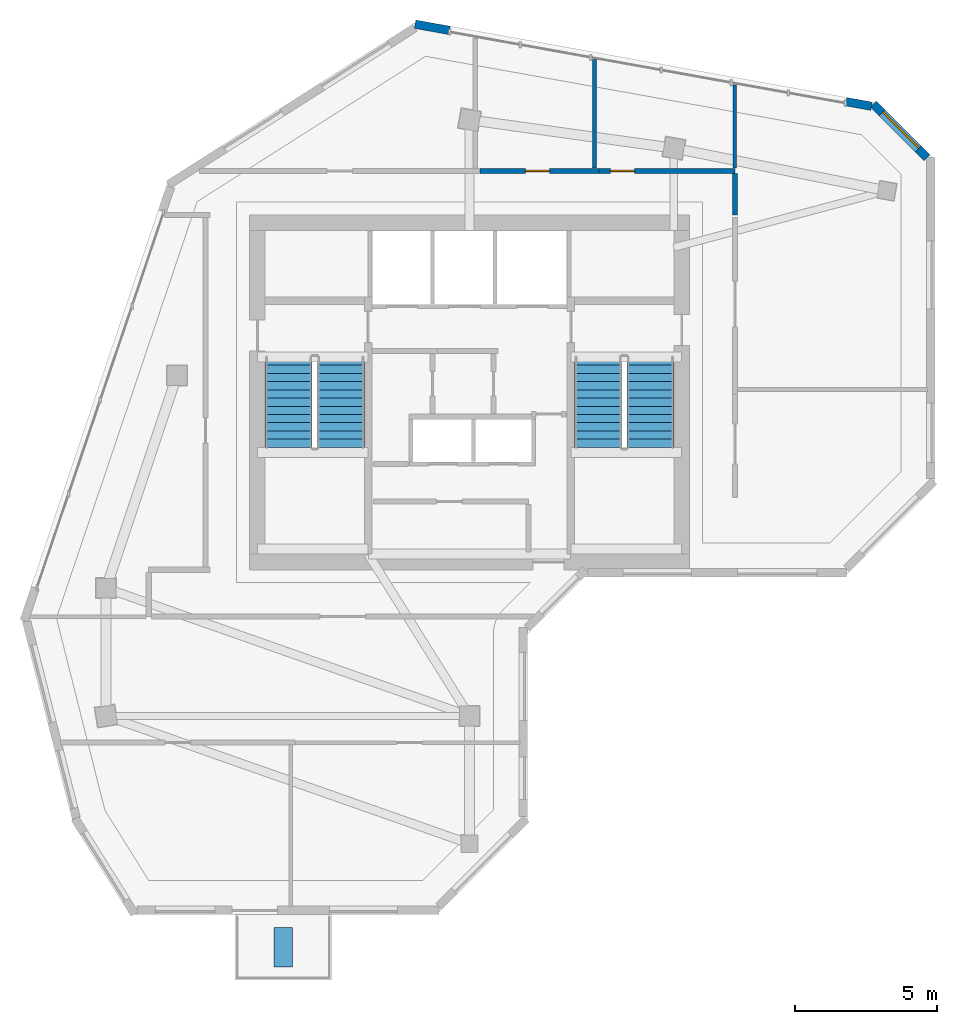
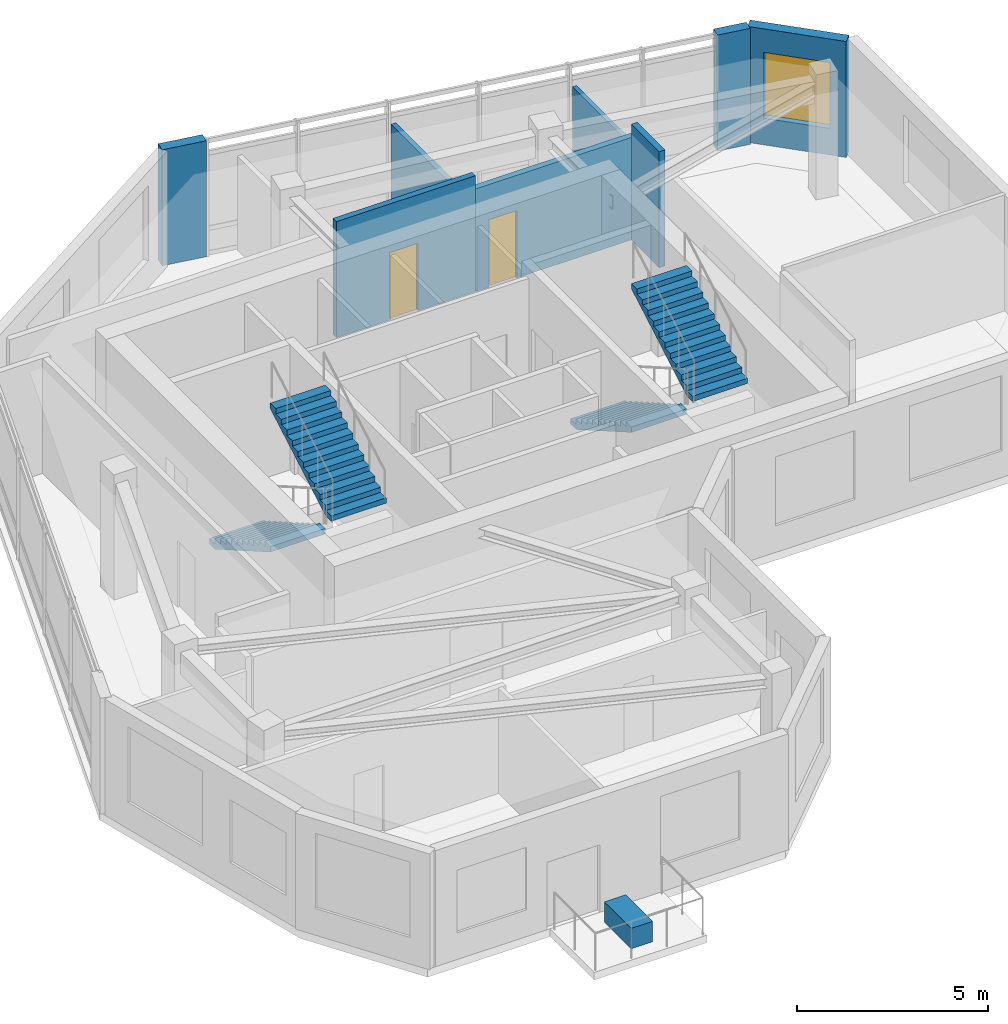
# One storey, part 5 of 8: 8 walls, 4 stair flights, 2 doors, 1 discrete accessory, 1 window, 3 openings, 2 elements without a shape of their own.
"""IFC4 building model written with IfcOpenShell, lengths in metres."""

import ifcopenshell
import ifcopenshell.guid

model = None  # the IFC model being written
_history = None  # IfcOwnerHistory: only IFC2X3 demands one
_inside = {}  # id of a spatial element -> (the spatial element, [elements in it])
_under = {}  # id of a project, library or spatial element -> (it, [spatial elements below it])
_declared = {}  # id of a project -> (the project, [libraries it declares])
_typed = {}  # id of a type object -> (the type object, [elements of that type])
_made_of = {}  # id of a material, layer set ... -> (it, [elements and type objects made of it])


def new_model(schema):
    """Start an empty IFC model of exactly this schema.

    Asked for "IFC4X3", IfcOpenShell would pick the latest addendum, in which some entities
    have other attributes; the version numbers below select the first issue.
    IFC2X3 requires an IfcOwnerHistory on every rooted entity: one is made here for all.
    """
    global model, _history
    if schema == "IFC4X3":
        model = ifcopenshell.file(schema_version=(4, 3, 0, 0))
    else:
        model = ifcopenshell.file(schema=schema)
    _inside.clear()
    _under.clear()
    _declared.clear()
    _typed.clear()
    _made_of.clear()
    _history = None
    if model.schema == "IFC2X3":
        org = make("IfcOrganization", Name="unknown")
        user = make(
            "IfcPersonAndOrganization",
            ThePerson=make("IfcPerson", FamilyName="unknown"),
            TheOrganization=org,
        )
        app = make(
            "IfcApplication",
            ApplicationDeveloper=org,
            Version="unknown",
            ApplicationFullName="unknown",
            ApplicationIdentifier="unknown",
        )
        _history = make(
            "IfcOwnerHistory",
            OwningUser=user,
            OwningApplication=app,
            ChangeAction="ADDED",
            CreationDate=0,
        )
    return model


def make(cls, **values):
    """One entity of the class cls with the attributes given. An attribute that is None is left unset."""
    return model.create_entity(
        cls, **{name: value for name, value in values.items() if value is not None}
    )


def rooted(cls, **values):
    """An entity with a GlobalId (a new one), such as an element, a storey or a relation."""
    return make(cls, GlobalId=ifcopenshell.guid.new(), OwnerHistory=_history, **values)


def si_unit(unit_type, name, prefix=None):
    """IfcSIUnit, for example si_unit("LENGTHUNIT", "METRE", prefix="MILLI")."""
    return make("IfcSIUnit", UnitType=unit_type, Prefix=prefix, Name=name)


def assignment(units):
    """IfcUnitAssignment: the units of a project."""
    return None if units is None else make("IfcUnitAssignment", Units=units)


def point(xyz):
    """IfcCartesianPoint."""
    return None if xyz is None else make("IfcCartesianPoint", Coordinates=xyz)


def direction(xyz):
    """IfcDirection."""
    return None if xyz is None else make("IfcDirection", DirectionRatios=xyz)


def frame(location, z_axis=None, x_axis=None):
    """IfcAxis2Placement3D, a coordinate frame: its origin and axes. An axis left out is left unset."""
    return make(
        "IfcAxis2Placement3D",
        Location=point(location),
        Axis=direction(z_axis),
        RefDirection=direction(x_axis),
    )


def frame_2d(location, x_axis=None):
    """IfcAxis2Placement2D, a coordinate frame in the plane: its origin and x axis."""
    return make(
        "IfcAxis2Placement2D", Location=point(location), RefDirection=direction(x_axis)
    )


def origin():
    """The frame at (0, 0, 0) with its axes left unset."""
    return frame((0.0, 0.0, 0.0))


def origin_2d():
    """The frame at (0, 0) in the plane with its x axis left unset."""
    return frame_2d((0.0, 0.0))


def place(relative_to, where):
    """IfcLocalPlacement: puts the frame where relative to a parent placement (None: the world)."""
    return make(
        "IfcLocalPlacement", PlacementRelTo=relative_to, RelativePlacement=where
    )


def context(
    kind, dimensions, precision=None, world=None, true_north=None, identifier=None
):
    """IfcGeometricRepresentationContext, for example the 3D "Model" context."""
    return make(
        "IfcGeometricRepresentationContext",
        ContextIdentifier=identifier,
        ContextType=kind,
        CoordinateSpaceDimension=dimensions,
        Precision=precision,
        WorldCoordinateSystem=world,
        TrueNorth=true_north,
    )


def subcontext(parent, identifier, kind, view, scale=None):
    """IfcGeometricRepresentationSubContext, for example "Body" below "Model"."""
    return make(
        "IfcGeometricRepresentationSubContext",
        ContextIdentifier=identifier,
        ContextType=kind,
        ParentContext=parent,
        TargetScale=scale,
        TargetView=view,
    )


def project(units=None, contexts=None):
    """IfcProject with its units and contexts."""
    return rooted(
        "IfcProject",
        Name="project",
        RepresentationContexts=contexts,
        UnitsInContext=assignment(units),
    )


def spatial(cls, under=None, at=None, **own):
    """A site, building, storey or space (cls), placed at a placement, below another one or the project."""
    s = rooted(cls, ObjectPlacement=at, **own)
    if under is not None:
        _under.setdefault(under.id(), (under, []))[1].append(s)
    return s


def polyline(points):
    """IfcPolyline through the points."""
    return make("IfcPolyline", Points=[point(p) for p in points])


def profile(cls, at=None, kind="AREA", **sizes):
    """A parametric profile (cls). Its sizes go by their IFC names, for example OverallWidth=200.0."""
    return make(cls, ProfileType=kind, Position=at, **sizes)


def rectangle(**sizes):
    """IfcRectangleProfileDef."""
    return profile("IfcRectangleProfileDef", **sizes)


def outline(outer, holes=None, kind="AREA"):
    """IfcArbitraryClosedProfileDef: a profile drawn as a closed curve; with holes, ...WithVoids."""
    if holes is None:
        return make("IfcArbitraryClosedProfileDef", ProfileType=kind, OuterCurve=outer)
    return make(
        "IfcArbitraryProfileDefWithVoids",
        ProfileType=kind,
        OuterCurve=outer,
        InnerCurves=holes,
    )


def extrude(swept, where, along, depth):
    """IfcExtrudedAreaSolid: the profile swept, set in the frame where, extruded along a direction by depth."""
    return make(
        "IfcExtrudedAreaSolid",
        SweptArea=swept,
        Position=where,
        ExtrudedDirection=direction(along),
        Depth=depth,
    )


def shape(context_of_items, identifier, shape_type, items):
    """IfcShapeRepresentation: the items that make up one representation, for example the "Body"."""
    return make(
        "IfcShapeRepresentation",
        ContextOfItems=context_of_items,
        RepresentationIdentifier=identifier,
        RepresentationType=shape_type,
        Items=items,
    )


def source(mapping_origin, context_of_items, identifier, shape_type, items):
    """IfcRepresentationMap: a shape defined once, which mapped items show again and again."""
    return make(
        "IfcRepresentationMap",
        MappingOrigin=mapping_origin,
        MappedRepresentation=shape(context_of_items, identifier, shape_type, items),
    )


def transform(
    local_origin,
    x_axis=None,
    y_axis=None,
    z_axis=None,
    scale=None,
    scale2=None,
    scale3=None,
    uniform=True,
):
    """IfcCartesianTransformationOperator3D, or its non-uniform kind. x_axis, y_axis, z_axis: its Axis1, 2, 3."""
    if uniform:
        return make(
            "IfcCartesianTransformationOperator3D",
            Axis1=direction(x_axis),
            Axis2=direction(y_axis),
            LocalOrigin=point(local_origin),
            Scale=scale,
            Axis3=direction(z_axis),
        )
    return make(
        "IfcCartesianTransformationOperator3DnonUniform",
        Axis1=direction(x_axis),
        Axis2=direction(y_axis),
        LocalOrigin=point(local_origin),
        Scale=scale,
        Axis3=direction(z_axis),
        Scale2=scale2,
        Scale3=scale3,
    )


def mapped(mapping_source, mapping_target):
    """IfcMappedItem: shows the shape of a source again, moved by a transform."""
    return make(
        "IfcMappedItem", MappingSource=mapping_source, MappingTarget=mapping_target
    )


def material(Name=None, Category=None):
    """IfcMaterial."""
    return make("IfcMaterial", Name=Name, Category=Category)


def layer(
    of_material, thickness, ventilated=None, Name=None, Category=None, Priority=None
):
    """IfcMaterialLayer: one layer of a wall or slab, of a material (None: an air gap)."""
    return make(
        "IfcMaterialLayer",
        Material=of_material,
        LayerThickness=thickness,
        IsVentilated=ventilated,
        Name=Name,
        Category=Category,
        Priority=Priority,
    )


def layer_set(layers, Name=None):
    """IfcMaterialLayerSet."""
    return make("IfcMaterialLayerSet", MaterialLayers=layers, LayerSetName=Name)


def made_of(thing, what):
    """Note that an element or type object is made of a material, layer set ...; save() writes the relation."""
    if what is not None:
        _made_of.setdefault(what.id(), (what, []))[1].append(thing)
    return thing


def type_object(cls, material=None, **own):
    """A type object (cls), such as IfcWallType, which elements share."""
    return made_of(rooted(cls, **own), material)


def element(
    cls,
    number,
    at=None,
    inside=None,
    cuts=None,
    type_object=None,
    material=None,
    context=None,
    identifier="Body",
    shape_type=None,
    held_by="IfcProductDefinitionShape",
    body=None,
    shapes=None,
    **own,
):
    """One element of the class cls, such as IfcWall. Its Tag is "e" and its number.

    at: its placement. inside: the storey or other place that contains it. cuts: it is an
    opening in that element (IfcRelVoidsElement). A single representation is given by context,
    identifier, shape_type and body (its items); several are given by shapes. held_by: the class
    of the entity that holds the representations. save() writes the other relations.
    """
    e = rooted(cls, Tag="e%d" % number, ObjectPlacement=at, **own)
    if body is not None:
        shapes = [shape(context, identifier, shape_type, body)]
    if shapes is not None:
        e.Representation = make(held_by, Representations=shapes)
    if inside is not None:
        _inside.setdefault(inside.id(), (inside, []))[1].append(e)
    if cuts is not None:
        rooted(
            "IfcRelVoidsElement", RelatingBuildingElement=cuts, RelatedOpeningElement=e
        )
    if type_object is not None:
        _typed.setdefault(type_object.id(), (type_object, []))[1].append(e)
    return made_of(e, material)


def fill(opening, filler):
    """IfcRelFillsElement: the door or window that sits in an opening."""
    return rooted(
        "IfcRelFillsElement",
        RelatingOpeningElement=opening,
        RelatedBuildingElement=filler,
    )


def aggregate(whole, parts):
    """IfcRelAggregates: a whole, such as a stair, and the parts it consists of."""
    return rooted("IfcRelAggregates", RelatingObject=whole, RelatedObjects=parts)


def save(model, path):
    """Write the relations noted so far, then the file.

    IfcRelAggregates (storeys below a building ...), IfcRelContainedInSpatialStructure (elements
    in a storey), IfcRelDefinesByType, IfcRelAssociatesMaterial and IfcRelDeclares: one each for
    every whole, place, type object, material and project.
    """
    for whole, parts in _under.values():
        aggregate(whole, parts)
    for where, things in _inside.values():
        rooted(
            "IfcRelContainedInSpatialStructure",
            RelatedElements=things,
            RelatingStructure=where,
        )
    for kind, things in _typed.values():
        rooted("IfcRelDefinesByType", RelatedObjects=things, RelatingType=kind)
    for what, things in _made_of.values():
        rooted("IfcRelAssociatesMaterial", RelatedObjects=things, RelatingMaterial=what)
    for by, libraries in _declared.values():
        rooted("IfcRelDeclares", RelatingContext=by, RelatedDefinitions=libraries)
    model.write(path)


model = new_model("IFC4")

# Units and contexts
model_context = context("Model", 3, precision=1e-05, world=origin(), true_north=direction((0.0, 1.0)))
body_context = subcontext(model_context, "Body", "Model", "MODEL_VIEW")
ifc_project = project(units=[si_unit("LENGTHUNIT", "METRE"), si_unit("AREAUNIT", "SQUARE_METRE"), si_unit("VOLUMEUNIT", "CUBIC_METRE"), si_unit("PLANEANGLEUNIT", "RADIAN"), si_unit("MASSUNIT", "GRAM", prefix="KILO")], contexts=[model_context])

# Site, building, storey
site_placement = place(None, origin())
site = spatial("IfcSite", under=ifc_project, at=site_placement, CompositionType="ELEMENT")
building_placement = place(site_placement, origin())
building = spatial("IfcBuilding", under=site, at=building_placement, Name="Calvemar Wedge Station Tower", CompositionType="ELEMENT")
storey_placement = place(building_placement, frame((0.0, 0.0, 300.5)))
storey = spatial("IfcBuildingStorey", under=building, at=storey_placement, Name="L77", CompositionType="ELEMENT", Elevation=300.5)

# Wall, opening, door
ifc_material_1 = material(Name="Double-stud fire-rated corridor partition")
ifc_layer_1 = layer(ifc_material_1, 0.179931640625)
ifc_layer_set_1 = layer_set([ifc_layer_1], Name="Double-stud fire-rated corridor partition")
wall_type_1 = type_object("IfcWallType", Name="W-CORR-180", PredefinedType="PARTITIONING", material=ifc_layer_set_1)
wall_1_placement = place(storey_placement, frame((24.162109375, 47.699951171875, 0.0), z_axis=(0.0, 0.0, 1.0), x_axis=(1.0, 0.0, 0.0)))
wall_1 = element("IfcWall", 1, at=wall_1_placement, inside=storey, type_object=wall_type_1, Name="Storey L77 Interior Partition WL-L77-015", PredefinedType="PARTITIONING", context=body_context, shape_type="SweptSolid", body=[
    extrude(rectangle(XDim=4.197998046875, YDim=0.179931640625, at=frame_2d((2.09912109375, 0.0))), origin(), (0.0, 0.0, 1.0), 3.699951171875),
])
shared_shape_1 = source(origin(), body_context, "Body", "SweptSolid", [
    extrude(rectangle(XDim=0.85009765625, YDim=2.14990234375, at=frame_2d((0.425048828125, 1.074951171875))), frame((0.0, 0.10009765625, 0.0), z_axis=(0.0, -1.0, 0.0), x_axis=(1.0, 0.0, 0.0)), (0.0, 0.0, 1.0), 0.199951171875),
])
opening_1_placement = place(wall_1_placement, frame((1.61328125, 0.0, 0.0)))
opening_1 = element("IfcOpeningElement", 2, at=opening_1_placement, cuts=wall_1, Name="Opening D-02", PredefinedType="OPENING", context=body_context, shape_type="MappedRepresentation", body=[
    mapped(shared_shape_1, transform((0.0, 0.0, 0.0), scale=1.0)),
])
ifc_material_2 = material(Name="Moisture-sealed bathroom hardwood swing door", Category="wood")
door_type = type_object("IfcDoorType", Name="DR-WET-850", OperationType="NOTDEFINED", PredefinedType="DOOR", material=ifc_material_2)
shared_shape_2 = source(origin(), body_context, "Body", "SweptSolid", [
    extrude(rectangle(XDim=0.85009765625, YDim=2.14990234375, at=frame_2d((0.425048828125, 1.074951171875))), frame((0.0, 0.02490234375, 0.0), z_axis=(0.0, -1.0, 0.0), x_axis=(1.0, 0.0, 0.0)), (0.0, 0.0, 1.0), 0.050048828125),
])
door_1_placement = place(opening_1_placement, origin())
door_1 = element("IfcDoor", 3, at=door_1_placement, inside=storey, type_object=door_type, Name="L77 Accessible WC Door", OperationType="SINGLE_SWING_RIGHT", OverallHeight=2.14990234375, OverallWidth=0.85009765625, PredefinedType="DOOR", context=body_context, shape_type="MappedRepresentation", body=[
    mapped(shared_shape_2, transform((0.0, 0.0, 0.0), scale=1.0)),
])
fill(opening_1, door_1)

wall_2_placement = place(storey_placement, frame((28.362060546875, 47.699951171875, 0.0), z_axis=(0.0, 0.0, 1.0), x_axis=(1.0, 0.0, 0.0)))
wall_2 = element("IfcWall", 4, at=wall_2_placement, inside=storey, type_object=wall_type_1, Name="Storey L77 Interior Partition WL-L77-016", PredefinedType="PARTITIONING", context=body_context, shape_type="SweptSolid", body=[
    extrude(rectangle(XDim=4.787841796875, YDim=0.179931640625, at=frame_2d((2.39404296875, 0.0))), origin(), (0.0, 0.0, 1.0), 3.27197265625),
])
opening_2_placement = place(wall_2_placement, frame((0.400634765625, 0.0, 0.0)))
opening_2 = element("IfcOpeningElement", 5, at=opening_2_placement, cuts=wall_2, Name="Opening D-02", PredefinedType="OPENING", context=body_context, shape_type="MappedRepresentation", body=[
    mapped(shared_shape_1, transform((0.0, 0.0, 0.0), scale=1.0)),
])
door_2_placement = place(opening_2_placement, origin())
door_2 = element("IfcDoor", 6, at=door_2_placement, inside=storey, type_object=door_type, Name="L77 Storage Room Door", OperationType="SINGLE_SWING_LEFT", OverallHeight=2.14990234375, OverallWidth=0.85009765625, PredefinedType="DOOR", context=body_context, shape_type="MappedRepresentation", body=[
    mapped(shared_shape_2, transform((0.0, 0.0, 0.0), scale=1.0)),
])
fill(opening_2, door_2)

# Wall
wall_3_placement = place(storey_placement, frame((33.14990234375, 47.60595703125, 0.0), z_axis=(0.0, 0.0, 1.0), x_axis=(0.0, -1.0, 0.0)))
element("IfcWall", 7, at=wall_3_placement, inside=storey, type_object=wall_type_1, Name="Storey L77 Interior Partition WL-L77-017", PredefinedType="PARTITIONING", context=body_context, shape_type="SweptSolid", body=[
    extrude(rectangle(XDim=1.4560546875, YDim=0.179931640625, at=frame_2d((0.72802734375, 0.0))), origin(), (0.0, 0.0, 1.0), 3.699951171875),
])

# Wall, opening, window
ifc_material_3 = material(Name="Precast concrete C45", Category="concrete")
ifc_layer_2 = layer(ifc_material_3, 0.300048828125)
ifc_layer_set_2 = layer_set([ifc_layer_2], Name="Precast concrete C45")
wall_type_2 = type_object("IfcWallType", Name="W-EXT-GFRC-300", PredefinedType="SOLIDWALL", material=ifc_layer_set_2)
wall_4_placement = place(storey_placement, frame((39.912109375, 48.163818359375, 0.0), z_axis=(0.0, 0.0, 1.0), x_axis=(-0.70715242601, 0.707061133417, 0.0)))
wall_4 = element("IfcWall", 8, at=wall_4_placement, inside=storey, type_object=wall_type_2, Name="Storey L77 Bronze GFRC Exterior Wall 9", PredefinedType="SOLIDWALL", context=body_context, shape_type="SweptSolid", body=[
    extrude(rectangle(XDim=2.67431640625, YDim=0.300048828125, at=frame_2d((1.337158203125, 0.0))), origin(), (0.0, 0.0, 1.0), 3.699951171875),
])
shared_shape_3 = source(origin(), body_context, "Body", "SweptSolid", [
    extrude(rectangle(XDim=1.800048828125, YDim=2.10009765625, at=frame_2d((0.89990234375, 1.050048828125))), frame((0.0, 0.16015625, 0.0), z_axis=(0.0, -1.0, 0.0), x_axis=(1.0, 0.0, 0.0)), (0.0, 0.0, 1.0), 0.320068359375),
])
opening_3_placement = place(wall_4_placement, frame((0.43701171875, 0.0, 0.85009765625)))
opening_3 = element("IfcOpeningElement", 9, at=opening_3_placement, cuts=wall_4, Name="Opening W2", PredefinedType="OPENING", context=body_context, shape_type="MappedRepresentation", body=[
    mapped(shared_shape_3, transform((0.0, 0.0, 0.0), scale=1.0)),
])
ifc_material_4 = material(Name="Low-E laminated insulated glass", Category="glass")
window_type = type_object("IfcWindowType", Name="WIN-EXT-2", PartitioningType="SINGLE_PANEL", PredefinedType="WINDOW", material=ifc_material_4)
shared_shape_4 = source(origin(), body_context, "Body", "SweptSolid", [
    extrude(rectangle(XDim=1.800048828125, YDim=2.10009765625, at=frame_2d((0.89990234375, 1.050048828125))), frame((0.0, -0.014892578125, 0.0), z_axis=(0.0, -1.0, 0.0), x_axis=(1.0, 0.0, 0.0)), (0.0, 0.0, 1.0), 0.06005859375),
])
window_placement = place(opening_3_placement, origin())
window = element("IfcWindow", 10, at=window_placement, inside=storey, type_object=window_type, Name="Storey L77 Recessed Window 9.1", OverallHeight=2.10009765625, OverallWidth=1.800048828125, PartitioningType="SINGLE_PANEL", PredefinedType="WINDOW", context=body_context, shape_type="MappedRepresentation", body=[
    mapped(shared_shape_4, transform((0.0, 0.0, 0.0), scale=1.0)),
])
fill(opening_3, window)

# Walls
wall_5_placement = place(storey_placement, frame((37.961669921875, 49.978515625, 0.0), z_axis=(0.0, 0.0, 1.0), x_axis=(-0.984215051171, 0.176976645491, 0.0)))
element("IfcWall", 11, at=wall_5_placement, inside=storey, type_object=wall_type_2, Name="Storey L77 Bronze GFRC Corner Pier 10A", PredefinedType="SOLIDWALL", context=body_context, shape_type="SweptSolid", body=[
    extrude(rectangle(XDim=0.911865234375, YDim=0.300048828125, at=frame_2d((0.4560546875, 0.0))), origin(), (0.0, 0.0, 1.0), 3.699951171875),
])
wall_6_placement = place(storey_placement, frame((23.093994140625, 52.65087890625, 0.0), z_axis=(0.0, 0.0, 1.0), x_axis=(-0.984233125072, 0.176876102146, 0.0)))
element("IfcWall", 12, at=wall_6_placement, inside=storey, type_object=wall_type_2, Name="Storey L77 Bronze GFRC Corner Pier 10B", PredefinedType="SOLIDWALL", context=body_context, shape_type="SweptSolid", body=[
    extrude(rectangle(XDim=1.229736328125, YDim=0.300048828125, at=frame_2d((0.61474609375, 0.0))), origin(), (0.0, 0.0, 1.0), 3.699951171875),
])
ifc_material_5 = material(Name="Insulated acoustic gypsum stud partition")
ifc_layer_3 = layer(ifc_material_5, 0.125)
ifc_layer_set_3 = layer_set([ifc_layer_3], Name="Insulated acoustic gypsum stud partition")
wall_type_3 = type_object("IfcWallType", Name="W-PART-125", PredefinedType="PARTITIONING", material=ifc_layer_set_3)
wall_7_placement = place(storey_placement, frame((33.14990234375, 50.7265625, 0.0), z_axis=(0.0, 0.0, 1.0), x_axis=(0.0, -1.0, 0.0)))
element("IfcWall", 13, at=wall_7_placement, inside=storey, type_object=wall_type_3, Name="Storey L77 Interior Partition WL-L77-023", PredefinedType="PARTITIONING", context=body_context, shape_type="SweptSolid", body=[
    extrude(rectangle(XDim=2.9326171875, YDim=0.125, at=frame_2d((1.46630859375, 0.0))), origin(), (0.0, 0.0, 1.0), 2.991943359375),
])
ifc_material_6 = material(Name="Moisture-resistant acoustic bathroom partition")
ifc_layer_4 = layer(ifc_material_6, 0.14990234375)
ifc_layer_set_4 = layer_set([ifc_layer_4], Name="Moisture-resistant acoustic bathroom partition")
wall_type_4 = type_object("IfcWallType", Name="W-WET-150", PredefinedType="PARTITIONING", material=ifc_layer_set_4)
wall_8_placement = place(storey_placement, frame((28.199951171875, 51.6162109375, 0.0), z_axis=(0.0, 0.0, 1.0), x_axis=(0.0, -1.0, 0.0)))
element("IfcWall", 14, at=wall_8_placement, inside=storey, type_object=wall_type_4, Name="Storey L77 Interior Partition WL-L77-022", PredefinedType="PARTITIONING", context=body_context, shape_type="SweptSolid", body=[
    extrude(rectangle(XDim=3.822265625, YDim=0.14990234375, at=frame_2d((1.9111328125, 0.0))), origin(), (0.0, 0.0, 1.0), 2.991943359375),
])

# Stair, stair flights
ifc_material_7 = material(Name="Concrete C45", Category="concrete")
stair_type = type_object("IfcStairType", Name="ST-TYPE-4000", PredefinedType="HALF_TURN_STAIR", material=ifc_material_7)
stair_1_placement = place(storey_placement, origin())
stair_1 = element("IfcStair", 15, at=stair_1_placement, inside=storey, type_object=stair_type, Name="L77 Pressurized Core Exit Stair ST-C1", PredefinedType="HALF_TURN_STAIR")
stair_flight_type = type_object("IfcStairFlightType", Name="STF-TYPE-4000", PredefinedType="STRAIGHT", material=ifc_material_7)
stair_flight_1_placement = place(storey_placement, frame((17.429931640625, 41.14990234375, 0.0), z_axis=(0.0, 0.0, 1.0), x_axis=(0.0, -1.0, 0.0)))
stair_flight_1 = element("IfcStairFlight", 16, at=stair_flight_1_placement, type_object=stair_flight_type, Name="ST-C1 flight 1", NumberOfRisers=12, NumberOfTreads=11, PredefinedType="STRAIGHT", RiserHeight=0.166666667, TreadLength=0.29, context=body_context, shape_type="SweptSolid", body=[
    extrude(outline(polyline([(0.0, 0.0), (0.0, 0.166748046875), (0.2900390625, 0.166748046875), (0.2900390625, 0.333251953125), (0.580078125, 0.333251953125), (0.580078125, 0.5), (0.8701171875, 0.5), (0.8701171875, 0.666748046875), (1.159912109375, 0.666748046875), (1.159912109375, 0.833251953125), (1.449951171875, 0.833251953125), (1.449951171875, 1.0), (1.739990234375, 1.0), (1.739990234375, 1.166748046875), (2.030029296875, 1.166748046875), (2.030029296875, 1.333251953125), (2.320068359375, 1.333251953125), (2.320068359375, 1.5), (2.610107421875, 1.5), (2.610107421875, 1.666748046875), (2.89990234375, 1.666748046875), (2.89990234375, 1.833251953125), (3.18994140625, 1.833251953125), (3.18994140625, 2.0), (3.18994140625, 1.660400390625), (0.30078125, 0.0), (0.0, 0.0)])), frame((0.0, 0.830078125, 0.0), z_axis=(0.0, -1.0, 0.0), x_axis=(1.0, 0.0, 0.0)), (0.0, 0.0, 1.0), 1.659912109375),
])
stair_flight_2_placement = place(storey_placement, frame((19.27001953125, 37.9599609375, 2.0), z_axis=(0.0, 0.0, 1.0), x_axis=(0.0, 1.0, 0.0)))
stair_flight_2 = element("IfcStairFlight", 17, at=stair_flight_2_placement, type_object=stair_flight_type, Name="ST-C1 flight 2", NumberOfRisers=12, NumberOfTreads=11, PredefinedType="STRAIGHT", RiserHeight=0.166666667, TreadLength=0.29, context=body_context, shape_type="SweptSolid", body=[
    extrude(outline(polyline([(0.0, 0.0), (0.0, 0.166748046875), (0.2900390625, 0.166748046875), (0.2900390625, 0.333251953125), (0.580078125, 0.333251953125), (0.580078125, 0.5), (0.8701171875, 0.5), (0.8701171875, 0.666748046875), (1.159912109375, 0.666748046875), (1.159912109375, 0.833251953125), (1.449951171875, 0.833251953125), (1.449951171875, 1.0), (1.739990234375, 1.0), (1.739990234375, 1.166748046875), (2.030029296875, 1.166748046875), (2.030029296875, 1.333251953125), (2.320068359375, 1.333251953125), (2.320068359375, 1.5), (2.610107421875, 1.5), (2.610107421875, 1.666748046875), (2.89990234375, 1.666748046875), (2.89990234375, 1.833251953125), (3.18994140625, 1.833251953125), (3.18994140625, 2.0), (3.18994140625, 1.660400390625), (0.30078125, 0.0), (0.0, 0.0)])), frame((0.0, 0.830078125, 0.0), z_axis=(0.0, -1.0, 0.0), x_axis=(1.0, 0.0, 0.0)), (0.0, 0.0, 1.0), 1.659912109375),
])
aggregate(stair_1, [stair_flight_1, stair_flight_2])

stair_2_placement = place(storey_placement, origin())
stair_2 = element("IfcStair", 18, at=stair_2_placement, inside=storey, type_object=stair_type, Name="L77 Pressurized Core Exit Stair ST-C2", PredefinedType="HALF_TURN_STAIR")
stair_flight_3_placement = place(storey_placement, frame((28.330078125, 41.14990234375, 0.0), z_axis=(0.0, 0.0, 1.0), x_axis=(0.0, -1.0, 0.0)))
stair_flight_3 = element("IfcStairFlight", 19, at=stair_flight_3_placement, type_object=stair_flight_type, Name="ST-C2 flight 1", NumberOfRisers=12, NumberOfTreads=11, PredefinedType="STRAIGHT", RiserHeight=0.166666667, TreadLength=0.29, context=body_context, shape_type="SweptSolid", body=[
    extrude(outline(polyline([(0.0, 0.0), (0.0, 0.166748046875), (0.2900390625, 0.166748046875), (0.2900390625, 0.333251953125), (0.580078125, 0.333251953125), (0.580078125, 0.5), (0.8701171875, 0.5), (0.8701171875, 0.666748046875), (1.159912109375, 0.666748046875), (1.159912109375, 0.833251953125), (1.449951171875, 0.833251953125), (1.449951171875, 1.0), (1.739990234375, 1.0), (1.739990234375, 1.166748046875), (2.030029296875, 1.166748046875), (2.030029296875, 1.333251953125), (2.320068359375, 1.333251953125), (2.320068359375, 1.5), (2.610107421875, 1.5), (2.610107421875, 1.666748046875), (2.89990234375, 1.666748046875), (2.89990234375, 1.833251953125), (3.18994140625, 1.833251953125), (3.18994140625, 2.0), (3.18994140625, 1.660400390625), (0.30078125, 0.0), (0.0, 0.0)])), frame((0.0, 0.830078125, 0.0), z_axis=(0.0, -1.0, 0.0), x_axis=(1.0, 0.0, 0.0)), (0.0, 0.0, 1.0), 1.659912109375),
])
stair_flight_4_placement = place(storey_placement, frame((30.169921875, 37.9599609375, 2.0), z_axis=(0.0, 0.0, 1.0), x_axis=(0.0, 1.0, 0.0)))
stair_flight_4 = element("IfcStairFlight", 20, at=stair_flight_4_placement, type_object=stair_flight_type, Name="ST-C2 flight 2", NumberOfRisers=12, NumberOfTreads=11, PredefinedType="STRAIGHT", RiserHeight=0.166666667, TreadLength=0.29, context=body_context, shape_type="SweptSolid", body=[
    extrude(outline(polyline([(0.0, 0.0), (0.0, 0.166748046875), (0.2900390625, 0.166748046875), (0.2900390625, 0.333251953125), (0.580078125, 0.333251953125), (0.580078125, 0.5), (0.8701171875, 0.5), (0.8701171875, 0.666748046875), (1.159912109375, 0.666748046875), (1.159912109375, 0.833251953125), (1.449951171875, 0.833251953125), (1.449951171875, 1.0), (1.739990234375, 1.0), (1.739990234375, 1.166748046875), (2.030029296875, 1.166748046875), (2.030029296875, 1.333251953125), (2.320068359375, 1.333251953125), (2.320068359375, 1.5), (2.610107421875, 1.5), (2.610107421875, 1.666748046875), (2.89990234375, 1.666748046875), (2.89990234375, 1.833251953125), (3.18994140625, 1.833251953125), (3.18994140625, 2.0), (3.18994140625, 1.660400390625), (0.30078125, 0.0), (0.0, 0.0)])), frame((0.0, 0.830078125, 0.0), z_axis=(0.0, -1.0, 0.0), x_axis=(1.0, 0.0, 0.0)), (0.0, 0.0, 1.0), 1.659912109375),
])
aggregate(stair_2, [stair_flight_3, stair_flight_4])

# Discrete accessory
discrete_accessory_type = type_object("IfcDiscreteAccessoryType", Name="ACC-PLANTER", PredefinedType="USERDEFINED", material=ifc_material_3)
shared_shape_5 = source(origin(), body_context, "Body", "SweptSolid", [
    extrude(rectangle(XDim=0.64990234375, YDim=1.39990234375, at=origin_2d()), origin(), (0.0, 0.0, 1.0), 0.64990234375),
])
discrete_accessory_placement = place(storey_placement, frame((17.239990234375, 20.35009765625, 0.0), z_axis=(0.0, 0.0, 1.0), x_axis=(1.0, 0.0, 0.0)))
element("IfcDiscreteAccessory", 21, at=discrete_accessory_placement, inside=storey, type_object=discrete_accessory_type, Name="Storey L77 Planted Terrace GFRC Planter", ObjectType="PLANTER", PredefinedType="USERDEFINED", context=body_context, shape_type="MappedRepresentation", body=[
    mapped(shared_shape_5, transform((0.0, 0.0, 0.0), scale=1.0)),
])

save(model, "model.ifc")
